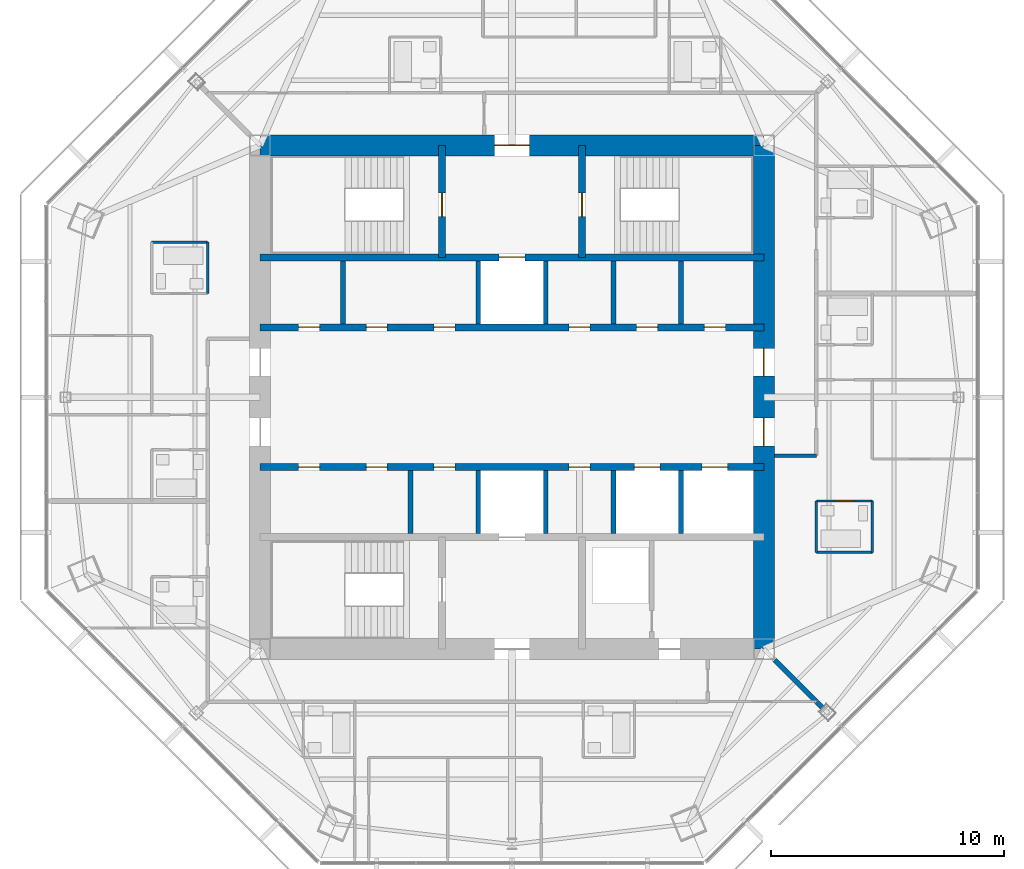
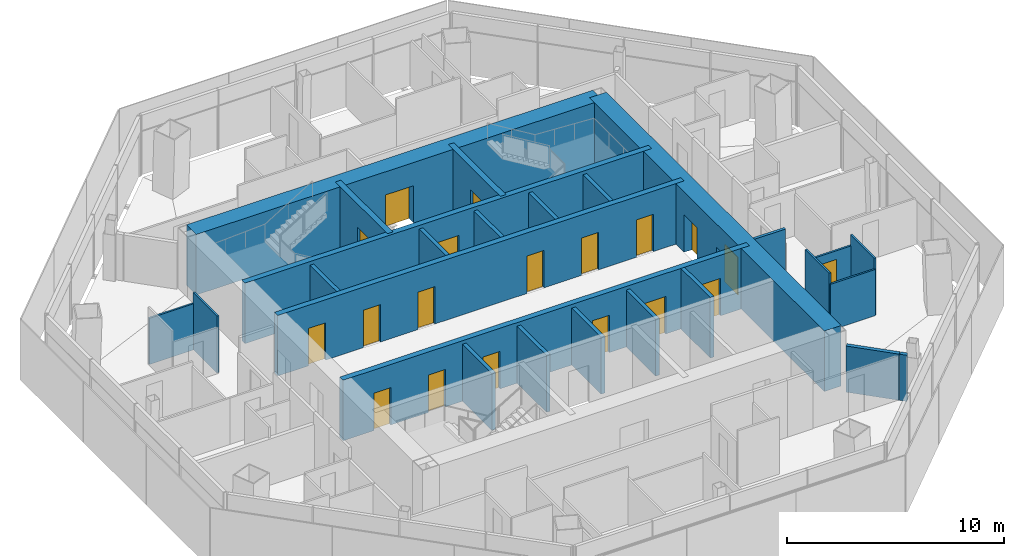
# One storey, part 10 of 14: 26 walls, 19 doors, 19 openings.
"""IFC4 building model written with IfcOpenShell, lengths in metres."""

from ifc_helpers import new_model, si_unit, direction, frame, frame_2d, origin, place, context, subcontext, project, spatial, rectangle, extrude, material, layer, layer_set, type_object, element, fill, save


model = new_model("IFC4")

# Units and contexts
model_context = context("Model", 3, precision=1e-05, world=origin(), true_north=direction((0.0, 1.0)))
body_context = subcontext(model_context, "Body", "Model", "MODEL_VIEW")
ifc_project = project(units=[si_unit("LENGTHUNIT", "METRE"), si_unit("AREAUNIT", "SQUARE_METRE"), si_unit("VOLUMEUNIT", "CUBIC_METRE"), si_unit("PLANEANGLEUNIT", "RADIAN"), si_unit("MASSUNIT", "GRAM", prefix="KILO")], contexts=[model_context])

# Site, building, storey
site_placement = place(None, origin())
site = spatial("IfcSite", under=ifc_project, at=site_placement, CompositionType="ELEMENT")
building_placement = place(site_placement, origin())
building = spatial("IfcBuilding", under=site, at=building_placement, Name="Mashrafa Tower", CompositionType="ELEMENT")
storey_placement = place(building_placement, frame((0.0, 0.0, 284.39990234375)))
storey = spatial("IfcBuildingStorey", under=building, at=storey_placement, Name="L69", CompositionType="ELEMENT", Elevation=284.39990234375)

# Walls
ifc_material_1 = material(Name="Gypsum board on steel studs", Category="steel")
ifc_layer_1 = layer(ifc_material_1, 0.199951171875)
ifc_layer_set_1 = layer_set([ifc_layer_1], Name="Acoustic partition 200 1 hr")
wall_type_1 = type_object("IfcWallType", Name="Acoustic partition 200 1 hr", PredefinedType="PARTITIONING", material=ifc_layer_set_1)
wall_1_placement = place(storey_placement, frame((13.0751953125, -13.0751953125, 0.0), z_axis=(0.0, 0.0, 1.0), x_axis=(0.707106781187, -0.707106781187, 0.0)))
element("IfcWall", 1, at=wall_1_placement, inside=storey, type_object=wall_type_1, Name="Acoustic wall L69-046", PredefinedType="PARTITIONING", context=body_context, shape_type="SweptSolid", body=[
    extrude(rectangle(XDim=0.338134765625, YDim=0.199951171875, at=frame_2d((0.1689453125, 0.0))), origin(), (0.0, 0.0, 1.0), 2.590576171875),
])
wall_2_placement = place(storey_placement, frame((11.26904296875, -11.26904296875, 0.0), z_axis=(0.0, 0.0, 1.0), x_axis=(0.707106781187, -0.707106781187, 0.0)))
element("IfcWall", 2, at=wall_2_placement, inside=storey, type_object=wall_type_1, Name="Acoustic wall L69-047", PredefinedType="PARTITIONING", context=body_context, shape_type="SweptSolid", body=[
    extrude(rectangle(XDim=2.52001953125, YDim=0.199951171875, at=frame_2d((1.260009765625, 0.0))), origin(), (0.0, 0.0, 1.0), 2.590576171875),
])

# Wall, openings, doors
ifc_material_2 = material(Name="Concrete C50/60", Category="concrete")
ifc_layer_2 = layer(ifc_material_2, 0.300048828125)
ifc_layer_set_2 = layer_set([ifc_layer_2], Name="Core wall 300 C50/60")
wall_type_2 = type_object("IfcWallType", Name="Core wall 300 C50/60", PredefinedType="SOLIDWALL", material=ifc_layer_set_2)
wall_3_placement = place(storey_placement, frame((-10.800048828125, 3.0, 0.0), z_axis=(0.0, 0.0, 1.0), x_axis=(1.0, 0.0, 0.0)))
wall_3 = element("IfcWall", 3, at=wall_3_placement, inside=storey, type_object=wall_type_2, Name="Core wall CH-N L69", PredefinedType="SOLIDWALL", context=body_context, shape_type="SweptSolid", body=[
    extrude(rectangle(XDim=21.60009765625, YDim=0.300048828125, at=frame_2d((10.800048828125, 0.0))), origin(), (0.0, 0.0, 1.0), 3.400146484375),
])
opening_1_placement = place(wall_3_placement, frame((1.64990234375, 0.0, 0.0)))
opening_1 = element("IfcOpeningElement", 4, at=opening_1_placement, cuts=wall_3, Name="Opening 69.042", PredefinedType="OPENING", context=body_context, shape_type="SweptSolid", body=[
    extrude(rectangle(XDim=0.89990234375, YDim=2.10009765625, at=frame_2d((0.449951171875, 1.050048828125))), frame((0.0, 0.159912109375, 0.0), z_axis=(0.0, -1.0, 0.0), x_axis=(1.0, 0.0, 0.0)), (0.0, 0.0, 1.0), 0.320068359375),
])
opening_2_placement = place(wall_3_placement, frame((4.550048828125, 0.0, 0.0)))
opening_2 = element("IfcOpeningElement", 5, at=opening_2_placement, cuts=wall_3, Name="Opening 69.043", PredefinedType="OPENING", context=body_context, shape_type="SweptSolid", body=[
    extrude(rectangle(XDim=0.89990234375, YDim=2.10009765625, at=frame_2d((0.449951171875, 1.050048828125))), frame((0.0, 0.159912109375, 0.0), z_axis=(0.0, -1.0, 0.0), x_axis=(1.0, 0.0, 0.0)), (0.0, 0.0, 1.0), 0.320068359375),
])
opening_3_placement = place(wall_3_placement, frame((7.449951171875, 0.0, 0.0)))
opening_3 = element("IfcOpeningElement", 6, at=opening_3_placement, cuts=wall_3, Name="Opening 69.044", PredefinedType="OPENING", context=body_context, shape_type="SweptSolid", body=[
    extrude(rectangle(XDim=0.89990234375, YDim=2.10009765625, at=frame_2d((0.449951171875, 1.050048828125))), frame((0.0, 0.159912109375, 0.0), z_axis=(0.0, -1.0, 0.0), x_axis=(1.0, 0.0, 0.0)), (0.0, 0.0, 1.0), 0.320068359375),
])
opening_4_placement = place(wall_3_placement, frame((13.25, 0.0, 0.0)))
opening_4 = element("IfcOpeningElement", 7, at=opening_4_placement, cuts=wall_3, Name="Opening 69.045", PredefinedType="OPENING", context=body_context, shape_type="SweptSolid", body=[
    extrude(rectangle(XDim=0.89990234375, YDim=2.10009765625, at=frame_2d((0.449951171875, 1.050048828125))), frame((0.0, 0.159912109375, 0.0), z_axis=(0.0, -1.0, 0.0), x_axis=(1.0, 0.0, 0.0)), (0.0, 0.0, 1.0), 0.320068359375),
])
opening_5_placement = place(wall_3_placement, frame((16.14990234375, 0.0, 0.0)))
opening_5 = element("IfcOpeningElement", 8, at=opening_5_placement, cuts=wall_3, Name="Opening 69.049", PredefinedType="OPENING", context=body_context, shape_type="SweptSolid", body=[
    extrude(rectangle(XDim=0.89990234375, YDim=2.10009765625, at=frame_2d((0.449951171875, 1.050048828125))), frame((0.0, 0.159912109375, 0.0), z_axis=(0.0, -1.0, 0.0), x_axis=(1.0, 0.0, 0.0)), (0.0, 0.0, 1.0), 0.320068359375),
])
opening_6_placement = place(wall_3_placement, frame((19.050048828125, 0.0, 0.0)))
opening_6 = element("IfcOpeningElement", 9, at=opening_6_placement, cuts=wall_3, Name="Opening 69.050", PredefinedType="OPENING", context=body_context, shape_type="SweptSolid", body=[
    extrude(rectangle(XDim=0.89990234375, YDim=2.10009765625, at=frame_2d((0.449951171875, 1.050048828125))), frame((0.0, 0.159912109375, 0.0), z_axis=(0.0, -1.0, 0.0), x_axis=(1.0, 0.0, 0.0)), (0.0, 0.0, 1.0), 0.320068359375),
])
ifc_material_3 = material(Name="Timber door", Category="wood")
door_type_1 = type_object("IfcDoorType", Name="Store door 900 x 2100", OperationType="USERDEFINED", PredefinedType="DOOR", material=ifc_material_3)
door_1_placement = place(opening_1_placement, origin())
door_1 = element("IfcDoor", 10, at=door_1_placement, inside=storey, type_object=door_type_1, Name="Refuse Chute Room L69 door", OperationType="SINGLE_SWING_RIGHT", OverallHeight=2.10009765625, OverallWidth=0.89990234375, PredefinedType="DOOR", context=body_context, shape_type="SweptSolid", body=[
    extrude(rectangle(XDim=0.89990234375, YDim=2.10009765625, at=frame_2d((0.449951171875, 1.050048828125))), frame((0.0, 0.02490234375, 0.0), z_axis=(0.0, -1.0, 0.0), x_axis=(1.0, 0.0, 0.0)), (0.0, 0.0, 1.0), 0.050048828125),
])
fill(opening_1, door_1)
door_2_placement = place(opening_2_placement, origin())
door_2 = element("IfcDoor", 11, at=door_2_placement, inside=storey, type_object=door_type_1, Name="Housekeeping and Linen Room L69 door", OperationType="SINGLE_SWING_LEFT", OverallHeight=2.10009765625, OverallWidth=0.89990234375, PredefinedType="DOOR", context=body_context, shape_type="SweptSolid", body=[
    extrude(rectangle(XDim=0.89990234375, YDim=2.10009765625, at=frame_2d((0.449951171875, 1.050048828125))), frame((0.0, 0.02490234375, 0.0), z_axis=(0.0, -1.0, 0.0), x_axis=(1.0, 0.0, 0.0)), (0.0, 0.0, 1.0), 0.050048828125),
])
fill(opening_2, door_2)
door_3_placement = place(opening_3_placement, origin())
door_3 = element("IfcDoor", 12, at=door_3_placement, inside=storey, type_object=door_type_1, Name="Housekeeping and Linen Room L69 door", OperationType="SINGLE_SWING_RIGHT", OverallHeight=2.10009765625, OverallWidth=0.89990234375, PredefinedType="DOOR", context=body_context, shape_type="SweptSolid", body=[
    extrude(rectangle(XDim=0.89990234375, YDim=2.10009765625, at=frame_2d((0.449951171875, 1.050048828125))), frame((0.0, 0.02490234375, 0.0), z_axis=(0.0, -1.0, 0.0), x_axis=(1.0, 0.0, 0.0)), (0.0, 0.0, 1.0), 0.050048828125),
])
fill(opening_3, door_3)
door_4_placement = place(opening_4_placement, origin())
door_4 = element("IfcDoor", 13, at=door_4_placement, inside=storey, type_object=door_type_1, Name="Cleaner's Store L69 door", OperationType="SINGLE_SWING_LEFT", OverallHeight=2.10009765625, OverallWidth=0.89990234375, PredefinedType="DOOR", context=body_context, shape_type="SweptSolid", body=[
    extrude(rectangle(XDim=0.89990234375, YDim=2.10009765625, at=frame_2d((0.449951171875, 1.050048828125))), frame((0.0, 0.02490234375, 0.0), z_axis=(0.0, -1.0, 0.0), x_axis=(1.0, 0.0, 0.0)), (0.0, 0.0, 1.0), 0.050048828125),
])
fill(opening_4, door_4)
door_5_placement = place(opening_5_placement, origin())
door_5 = element("IfcDoor", 14, at=door_5_placement, inside=storey, type_object=door_type_1, Name="Residents' Store L69-K1 door", OperationType="SINGLE_SWING_LEFT", OverallHeight=2.10009765625, OverallWidth=0.89990234375, PredefinedType="DOOR", context=body_context, shape_type="SweptSolid", body=[
    extrude(rectangle(XDim=0.89990234375, YDim=2.10009765625, at=frame_2d((0.449951171875, 1.050048828125))), frame((0.0, 0.02490234375, 0.0), z_axis=(0.0, -1.0, 0.0), x_axis=(1.0, 0.0, 0.0)), (0.0, 0.0, 1.0), 0.050048828125),
])
fill(opening_5, door_5)
door_6_placement = place(opening_6_placement, origin())
door_6 = element("IfcDoor", 15, at=door_6_placement, inside=storey, type_object=door_type_1, Name="Residents' Store L69-K2 door", OperationType="SINGLE_SWING_LEFT", OverallHeight=2.10009765625, OverallWidth=0.89990234375, PredefinedType="DOOR", context=body_context, shape_type="SweptSolid", body=[
    extrude(rectangle(XDim=0.89990234375, YDim=2.10009765625, at=frame_2d((0.449951171875, 1.050048828125))), frame((0.0, 0.02490234375, 0.0), z_axis=(0.0, -1.0, 0.0), x_axis=(1.0, 0.0, 0.0)), (0.0, 0.0, 1.0), 0.050048828125),
])
fill(opening_6, door_6)

# Wall, opening, door
wall_4_placement = place(storey_placement, frame((-10.800048828125, 6.0, 0.0), z_axis=(0.0, 0.0, 1.0), x_axis=(1.0, 0.0, 0.0)))
wall_4 = element("IfcWall", 16, at=wall_4_placement, inside=storey, type_object=wall_type_2, Name="Core wall CB-N L69", PredefinedType="SOLIDWALL", context=body_context, shape_type="SweptSolid", body=[
    extrude(rectangle(XDim=21.60009765625, YDim=0.300048828125, at=frame_2d((10.800048828125, 0.0))), origin(), (0.0, 0.0, 1.0), 3.400146484375),
])
opening_7_placement = place(wall_4_placement, frame((10.25, 0.0, 0.0)))
opening_7 = element("IfcOpeningElement", 17, at=opening_7_placement, cuts=wall_4, Name="Opening 69.F1", PredefinedType="OPENING", context=body_context, shape_type="SweptSolid", body=[
    extrude(rectangle(XDim=1.10009765625, YDim=2.10009765625, at=frame_2d((0.550048828125, 1.050048828125))), frame((0.0, 0.159912109375, 0.0), z_axis=(0.0, -1.0, 0.0), x_axis=(1.0, 0.0, 0.0)), (0.0, 0.0, 1.0), 0.320068359375),
])
ifc_material_4 = material(Name="Steel door", Category="steel")
door_type_2 = type_object("IfcDoorType", Name="Lift landing door 1100 x 2100 90 min", OperationType="DOUBLE_DOOR_SLIDING", PredefinedType="DOOR", material=ifc_material_4)
door_7_placement = place(opening_7_placement, origin())
door_7 = element("IfcDoor", 18, at=door_7_placement, inside=storey, type_object=door_type_2, Name="Lift landing door F1 L69", OperationType="DOUBLE_DOOR_SLIDING", OverallHeight=2.10009765625, OverallWidth=1.10009765625, PredefinedType="DOOR", context=body_context, shape_type="SweptSolid", body=[
    extrude(rectangle(XDim=1.10009765625, YDim=2.10009765625, at=frame_2d((0.550048828125, 1.050048828125))), frame((0.0, 0.02490234375, 0.0), z_axis=(0.0, -1.0, 0.0), x_axis=(1.0, 0.0, 0.0)), (0.0, 0.0, 1.0), 0.050048828125),
])
fill(opening_7, door_7)

wall_5_placement = place(storey_placement, frame((-3.0, 6.0, 0.0), z_axis=(0.0, 0.0, 1.0), x_axis=(0.0, 1.0, 0.0)))
wall_5 = element("IfcWall", 19, at=wall_5_placement, inside=storey, type_object=wall_type_2, Name="Core wall CX-NW L69", PredefinedType="SOLIDWALL", context=body_context, shape_type="SweptSolid", body=[
    extrude(rectangle(XDim=4.800048828125, YDim=0.300048828125, at=frame_2d((2.39990234375, 0.0))), origin(), (0.0, 0.0, 1.0), 3.400146484375),
])
opening_8_placement = place(wall_5_placement, frame((1.75, 0.0, 0.0)))
opening_8 = element("IfcOpeningElement", 20, at=opening_8_placement, cuts=wall_5, Name="Opening 69.037", PredefinedType="OPENING", context=body_context, shape_type="SweptSolid", body=[
    extrude(rectangle(XDim=1.0, YDim=2.10009765625, at=frame_2d((0.5, 1.050048828125))), frame((0.0, 0.159912109375, 0.0), z_axis=(0.0, -1.0, 0.0), x_axis=(1.0, 0.0, 0.0)), (0.0, 0.0, 1.0), 0.320068359375),
])
ifc_material_5 = material(Name="Steel door", Category="steel")
door_type_3 = type_object("IfcDoorType", Name="Stair door 1000 x 2100 90 min", OperationType="USERDEFINED", PredefinedType="DOOR", material=ifc_material_5)
door_8_placement = place(opening_8_placement, origin())
door_8 = element("IfcDoor", 21, at=door_8_placement, inside=storey, type_object=door_type_3, Name="Stair S1 door L69", OperationType="SINGLE_SWING_LEFT", OverallHeight=2.10009765625, OverallWidth=1.0, PredefinedType="DOOR", context=body_context, shape_type="SweptSolid", body=[
    extrude(rectangle(XDim=1.0, YDim=2.10009765625, at=frame_2d((0.5, 1.050048828125))), frame((0.0, 0.02490234375, 0.0), z_axis=(0.0, -1.0, 0.0), x_axis=(1.0, 0.0, 0.0)), (0.0, 0.0, 1.0), 0.050048828125),
])
fill(opening_8, door_8)

wall_6_placement = place(storey_placement, frame((3.0, 6.0, 0.0), z_axis=(0.0, 0.0, 1.0), x_axis=(0.0, 1.0, 0.0)))
wall_6 = element("IfcWall", 22, at=wall_6_placement, inside=storey, type_object=wall_type_2, Name="Core wall CX-NE L69", PredefinedType="SOLIDWALL", context=body_context, shape_type="SweptSolid", body=[
    extrude(rectangle(XDim=4.800048828125, YDim=0.300048828125, at=frame_2d((2.39990234375, 0.0))), origin(), (0.0, 0.0, 1.0), 3.400146484375),
])
opening_9_placement = place(wall_6_placement, frame((1.75, 0.0, 0.0)))
opening_9 = element("IfcOpeningElement", 23, at=opening_9_placement, cuts=wall_6, Name="Opening 69.038", PredefinedType="OPENING", context=body_context, shape_type="SweptSolid", body=[
    extrude(rectangle(XDim=1.0, YDim=2.10009765625, at=frame_2d((0.5, 1.050048828125))), frame((0.0, 0.159912109375, 0.0), z_axis=(0.0, -1.0, 0.0), x_axis=(1.0, 0.0, 0.0)), (0.0, 0.0, 1.0), 0.320068359375),
])
door_9_placement = place(opening_9_placement, frame((1.0, 0.0, 0.0), z_axis=(0.0, 0.0, 1.0), x_axis=(-1.0, 0.0, 0.0)))
door_9 = element("IfcDoor", 24, at=door_9_placement, inside=storey, type_object=door_type_3, Name="Stair S2 door L69", OperationType="SINGLE_SWING_RIGHT", OverallHeight=2.10009765625, OverallWidth=1.0, PredefinedType="DOOR", context=body_context, shape_type="SweptSolid", body=[
    extrude(rectangle(XDim=1.0, YDim=2.10009765625, at=frame_2d((0.5, 1.050048828125))), frame((0.0, 0.02490234375, 0.0), z_axis=(0.0, -1.0, 0.0), x_axis=(1.0, 0.0, 0.0)), (0.0, 0.0, 1.0), 0.050048828125),
])
fill(opening_9, door_9)

# Wall, openings, doors
wall_7_placement = place(storey_placement, frame((-10.800048828125, -3.0, 0.0), z_axis=(0.0, 0.0, 1.0), x_axis=(1.0, 0.0, 0.0)))
wall_7 = element("IfcWall", 25, at=wall_7_placement, inside=storey, type_object=wall_type_2, Name="Core wall CH-S L69", PredefinedType="SOLIDWALL", context=body_context, shape_type="SweptSolid", body=[
    extrude(rectangle(XDim=21.60009765625, YDim=0.300048828125, at=frame_2d((10.800048828125, 0.0))), origin(), (0.0, 0.0, 1.0), 3.400146484375),
])
opening_10_placement = place(wall_7_placement, frame((13.25, 0.0, 0.0)))
opening_10 = element("IfcOpeningElement", 26, at=opening_10_placement, cuts=wall_7, Name="Opening 69.046", PredefinedType="OPENING", context=body_context, shape_type="SweptSolid", body=[
    extrude(rectangle(XDim=0.89990234375, YDim=2.10009765625, at=frame_2d((0.449951171875, 1.050048828125))), frame((0.0, 0.159912109375, 0.0), z_axis=(0.0, -1.0, 0.0), x_axis=(1.0, 0.0, 0.0)), (0.0, 0.0, 1.0), 0.320068359375),
])
opening_11_placement = place(wall_7_placement, frame((1.64990234375, 0.0, 0.0)))
opening_11 = element("IfcOpeningElement", 27, at=opening_11_placement, cuts=wall_7, Name="Opening 69.047", PredefinedType="OPENING", context=body_context, shape_type="SweptSolid", body=[
    extrude(rectangle(XDim=0.89990234375, YDim=2.10009765625, at=frame_2d((0.449951171875, 1.050048828125))), frame((0.0, 0.159912109375, 0.0), z_axis=(0.0, -1.0, 0.0), x_axis=(1.0, 0.0, 0.0)), (0.0, 0.0, 1.0), 0.320068359375),
])
opening_12_placement = place(wall_7_placement, frame((4.550048828125, 0.0, 0.0)))
opening_12 = element("IfcOpeningElement", 28, at=opening_12_placement, cuts=wall_7, Name="Opening 69.048", PredefinedType="OPENING", context=body_context, shape_type="SweptSolid", body=[
    extrude(rectangle(XDim=0.89990234375, YDim=2.10009765625, at=frame_2d((0.449951171875, 1.050048828125))), frame((0.0, 0.159912109375, 0.0), z_axis=(0.0, -1.0, 0.0), x_axis=(1.0, 0.0, 0.0)), (0.0, 0.0, 1.0), 0.320068359375),
])
opening_13_placement = place(wall_7_placement, frame((7.449951171875, 0.0, 0.0)))
opening_13 = element("IfcOpeningElement", 29, at=opening_13_placement, cuts=wall_7, Name="Opening 69.051", PredefinedType="OPENING", context=body_context, shape_type="SweptSolid", body=[
    extrude(rectangle(XDim=0.89990234375, YDim=2.10009765625, at=frame_2d((0.449951171875, 1.050048828125))), frame((0.0, 0.159912109375, 0.0), z_axis=(0.0, -1.0, 0.0), x_axis=(1.0, 0.0, 0.0)), (0.0, 0.0, 1.0), 0.320068359375),
])
opening_14_placement = place(wall_7_placement, frame((16.050048828125, 0.0, 0.0)))
opening_14 = element("IfcOpeningElement", 30, at=opening_14_placement, cuts=wall_7, Name="Opening 69.R1", PredefinedType="OPENING", context=body_context, shape_type="SweptSolid", body=[
    extrude(rectangle(XDim=1.10009765625, YDim=2.10009765625, at=frame_2d((0.550048828125, 1.050048828125))), frame((0.0, 0.159912109375, 0.0), z_axis=(0.0, -1.0, 0.0), x_axis=(1.0, 0.0, 0.0)), (0.0, 0.0, 1.0), 0.320068359375),
])
opening_15_placement = place(wall_7_placement, frame((18.949951171875, 0.0, 0.0)))
opening_15 = element("IfcOpeningElement", 31, at=opening_15_placement, cuts=wall_7, Name="Opening 69.R2", PredefinedType="OPENING", context=body_context, shape_type="SweptSolid", body=[
    extrude(rectangle(XDim=1.10009765625, YDim=2.10009765625, at=frame_2d((0.550048828125, 1.050048828125))), frame((0.0, 0.159912109375, 0.0), z_axis=(0.0, -1.0, 0.0), x_axis=(1.0, 0.0, 0.0)), (0.0, 0.0, 1.0), 0.320068359375),
])
door_10_placement = place(opening_14_placement, origin())
door_10 = element("IfcDoor", 32, at=door_10_placement, inside=storey, type_object=door_type_2, Name="Lift landing door R1 L69", OperationType="DOUBLE_DOOR_SLIDING", OverallHeight=2.10009765625, OverallWidth=1.10009765625, PredefinedType="DOOR", context=body_context, shape_type="SweptSolid", body=[
    extrude(rectangle(XDim=1.10009765625, YDim=2.10009765625, at=frame_2d((0.550048828125, 1.050048828125))), frame((0.0, 0.02490234375, 0.0), z_axis=(0.0, -1.0, 0.0), x_axis=(1.0, 0.0, 0.0)), (0.0, 0.0, 1.0), 0.050048828125),
])
fill(opening_14, door_10)
door_11_placement = place(opening_15_placement, origin())
door_11 = element("IfcDoor", 33, at=door_11_placement, inside=storey, type_object=door_type_2, Name="Lift landing door R2 L69", OperationType="DOUBLE_DOOR_SLIDING", OverallHeight=2.10009765625, OverallWidth=1.10009765625, PredefinedType="DOOR", context=body_context, shape_type="SweptSolid", body=[
    extrude(rectangle(XDim=1.10009765625, YDim=2.10009765625, at=frame_2d((0.550048828125, 1.050048828125))), frame((0.0, 0.02490234375, 0.0), z_axis=(0.0, -1.0, 0.0), x_axis=(1.0, 0.0, 0.0)), (0.0, 0.0, 1.0), 0.050048828125),
])
fill(opening_15, door_11)
door_12_placement = place(opening_10_placement, frame((0.89990234375, 0.0, 0.0), z_axis=(0.0, 0.0, 1.0), x_axis=(-1.0, 0.0, 0.0)))
door_12 = element("IfcDoor", 34, at=door_12_placement, inside=storey, type_object=door_type_1, Name="Communications Room L69 door", OperationType="SINGLE_SWING_RIGHT", OverallHeight=2.10009765625, OverallWidth=0.89990234375, PredefinedType="DOOR", context=body_context, shape_type="SweptSolid", body=[
    extrude(rectangle(XDim=0.89990234375, YDim=2.10009765625, at=frame_2d((0.449951171875, 1.050048828125))), frame((0.0, 0.02490234375, 0.0), z_axis=(0.0, -1.0, 0.0), x_axis=(1.0, 0.0, 0.0)), (0.0, 0.0, 1.0), 0.050048828125),
])
fill(opening_10, door_12)
door_13_placement = place(opening_11_placement, frame((0.89990234375, 0.0, 0.0), z_axis=(0.0, 0.0, 1.0), x_axis=(-1.0, 0.0, 0.0)))
door_13 = element("IfcDoor", 35, at=door_13_placement, inside=storey, type_object=door_type_1, Name="Residents' Storage Room L69 door", OperationType="SINGLE_SWING_RIGHT", OverallHeight=2.10009765625, OverallWidth=0.89990234375, PredefinedType="DOOR", context=body_context, shape_type="SweptSolid", body=[
    extrude(rectangle(XDim=0.89990234375, YDim=2.10009765625, at=frame_2d((0.449951171875, 1.050048828125))), frame((0.0, 0.02490234375, 0.0), z_axis=(0.0, -1.0, 0.0), x_axis=(1.0, 0.0, 0.0)), (0.0, 0.0, 1.0), 0.050048828125),
])
fill(opening_11, door_13)
door_14_placement = place(opening_12_placement, frame((0.89990234375, 0.0, 0.0), z_axis=(0.0, 0.0, 1.0), x_axis=(-1.0, 0.0, 0.0)))
door_14 = element("IfcDoor", 36, at=door_14_placement, inside=storey, type_object=door_type_1, Name="Residents' Storage Room L69 door", OperationType="SINGLE_SWING_LEFT", OverallHeight=2.10009765625, OverallWidth=0.89990234375, PredefinedType="DOOR", context=body_context, shape_type="SweptSolid", body=[
    extrude(rectangle(XDim=0.89990234375, YDim=2.10009765625, at=frame_2d((0.449951171875, 1.050048828125))), frame((0.0, 0.02490234375, 0.0), z_axis=(0.0, -1.0, 0.0), x_axis=(1.0, 0.0, 0.0)), (0.0, 0.0, 1.0), 0.050048828125),
])
fill(opening_12, door_14)
door_15_placement = place(opening_13_placement, frame((0.89990234375, 0.0, 0.0), z_axis=(0.0, 0.0, 1.0), x_axis=(-1.0, 0.0, 0.0)))
door_15 = element("IfcDoor", 37, at=door_15_placement, inside=storey, type_object=door_type_1, Name="Residents' Store L69-B3 door", OperationType="SINGLE_SWING_RIGHT", OverallHeight=2.10009765625, OverallWidth=0.89990234375, PredefinedType="DOOR", context=body_context, shape_type="SweptSolid", body=[
    extrude(rectangle(XDim=0.89990234375, YDim=2.10009765625, at=frame_2d((0.449951171875, 1.050048828125))), frame((0.0, 0.02490234375, 0.0), z_axis=(0.0, -1.0, 0.0), x_axis=(1.0, 0.0, 0.0)), (0.0, 0.0, 1.0), 0.050048828125),
])
fill(opening_13, door_15)

ifc_material_6 = material(Name="Concrete C50/60", Category="concrete")
ifc_layer_3 = layer(ifc_material_6, 0.89990234375)
ifc_layer_set_3 = layer_set([ifc_layer_3], Name="Core wall 900 C50/60")
wall_type_3 = type_object("IfcWallType", Name="Core wall 900 C50/60", PredefinedType="SOLIDWALL", material=ifc_layer_set_3)
wall_8_placement = place(storey_placement, frame((10.800048828125, -10.800048828125, 0.0), z_axis=(0.0, 0.0, 1.0), x_axis=(0.0, 1.0, 0.0)))
wall_8 = element("IfcWall", 38, at=wall_8_placement, inside=storey, type_object=wall_type_3, Name="Core wall CW-E L69", PredefinedType="SOLIDWALL", context=body_context, shape_type="SweptSolid", body=[
    extrude(rectangle(XDim=21.60009765625, YDim=0.89990234375, at=frame_2d((10.800048828125, 0.0))), origin(), (0.0, 0.0, 1.0), 3.400146484375),
])
opening_16_placement = place(wall_8_placement, frame((11.699951171875, 0.0, 0.0)))
opening_16 = element("IfcOpeningElement", 39, at=opening_16_placement, cuts=wall_8, Name="Opening 69.031", PredefinedType="OPENING", context=body_context, shape_type="SweptSolid", body=[
    extrude(rectangle(XDim=1.199951171875, YDim=2.10009765625, at=frame_2d((0.60009765625, 1.050048828125))), frame((0.0, 0.4599609375, 0.0), z_axis=(0.0, -1.0, 0.0), x_axis=(1.0, 0.0, 0.0)), (0.0, 0.0, 1.0), 0.919921875),
])
opening_17_placement = place(wall_8_placement, frame((8.699951171875, 0.0, 0.0)))
opening_17 = element("IfcOpeningElement", 40, at=opening_17_placement, cuts=wall_8, Name="Opening 69.033", PredefinedType="OPENING", context=body_context, shape_type="SweptSolid", body=[
    extrude(rectangle(XDim=1.199951171875, YDim=2.10009765625, at=frame_2d((0.60009765625, 1.050048828125))), frame((0.0, 0.4599609375, 0.0), z_axis=(0.0, -1.0, 0.0), x_axis=(1.0, 0.0, 0.0)), (0.0, 0.0, 1.0), 0.919921875),
])
ifc_material_7 = material(Name="Steel door", Category="steel")
door_type_4 = type_object("IfcDoorType", Name="Lift hall door 1200 x 2100 90 min", OperationType="USERDEFINED", PredefinedType="DOOR", material=ifc_material_7)
door_16_placement = place(opening_16_placement, frame((1.199951171875, 0.0, 0.0), z_axis=(0.0, 0.0, 1.0), x_axis=(-1.0, 0.0, 0.0)))
door_16 = element("IfcDoor", 41, at=door_16_placement, inside=storey, type_object=door_type_4, Name="Lift hall door east L69", OperationType="SINGLE_SWING_RIGHT", OverallHeight=2.10009765625, OverallWidth=1.199951171875, PredefinedType="DOOR", context=body_context, shape_type="SweptSolid", body=[
    extrude(rectangle(XDim=1.199951171875, YDim=2.10009765625, at=frame_2d((0.60009765625, 1.050048828125))), frame((0.0, 0.02490234375, 0.0), z_axis=(0.0, -1.0, 0.0), x_axis=(1.0, 0.0, 0.0)), (0.0, 0.0, 1.0), 0.050048828125),
])
fill(opening_16, door_16)
door_17_placement = place(opening_17_placement, frame((1.199951171875, 0.0, 0.0), z_axis=(0.0, 0.0, 1.0), x_axis=(-1.0, 0.0, 0.0)))
door_17 = element("IfcDoor", 42, at=door_17_placement, inside=storey, type_object=door_type_4, Name="Lift hall door east L69", OperationType="SINGLE_SWING_RIGHT", OverallHeight=2.10009765625, OverallWidth=1.199951171875, PredefinedType="DOOR", context=body_context, shape_type="SweptSolid", body=[
    extrude(rectangle(XDim=1.199951171875, YDim=2.10009765625, at=frame_2d((0.60009765625, 1.050048828125))), frame((0.0, 0.02490234375, 0.0), z_axis=(0.0, -1.0, 0.0), x_axis=(1.0, 0.0, 0.0)), (0.0, 0.0, 1.0), 0.050048828125),
])
fill(opening_17, door_17)

# Wall, opening, door
wall_9_placement = place(storey_placement, frame((10.800048828125, 10.800048828125, 0.0), z_axis=(0.0, 0.0, 1.0), x_axis=(-1.0, 0.0, 0.0)))
wall_9 = element("IfcWall", 43, at=wall_9_placement, inside=storey, type_object=wall_type_3, Name="Core wall CW-N L69", PredefinedType="SOLIDWALL", context=body_context, shape_type="SweptSolid", body=[
    extrude(rectangle(XDim=21.60009765625, YDim=0.89990234375, at=frame_2d((10.800048828125, 0.0))), origin(), (0.0, 0.0, 1.0), 3.400146484375),
])
opening_18_placement = place(wall_9_placement, frame((10.050048828125, 0.0, 0.0)))
opening_18 = element("IfcOpeningElement", 44, at=opening_18_placement, cuts=wall_9, Name="Opening 69.035", PredefinedType="OPENING", context=body_context, shape_type="SweptSolid", body=[
    extrude(rectangle(XDim=1.5, YDim=2.10009765625, at=frame_2d((0.75, 1.050048828125))), frame((0.0, 0.4599609375, 0.0), z_axis=(0.0, -1.0, 0.0), x_axis=(1.0, 0.0, 0.0)), (0.0, 0.0, 1.0), 0.919921875),
])
ifc_material_8 = material(Name="Steel door", Category="steel")
door_type_5 = type_object("IfcDoorType", Name="Lobby door pair 1500 x 2100 90 min", OperationType="DOUBLE_DOOR_SINGLE_SWING", PredefinedType="DOOR", material=ifc_material_8)
door_18_placement = place(opening_18_placement, origin())
door_18 = element("IfcDoor", 45, at=door_18_placement, inside=storey, type_object=door_type_5, Name="Fire-fighting lobby F1 door L69", OperationType="DOUBLE_DOOR_SINGLE_SWING", OverallHeight=2.10009765625, OverallWidth=1.5, PredefinedType="DOOR", context=body_context, shape_type="SweptSolid", body=[
    extrude(rectangle(XDim=1.5, YDim=2.10009765625, at=frame_2d((0.75, 1.050048828125))), frame((0.0, 0.02490234375, 0.0), z_axis=(0.0, -1.0, 0.0), x_axis=(1.0, 0.0, 0.0)), (0.0, 0.0, 1.0), 0.050048828125),
])
fill(opening_18, door_18)

# Walls
ifc_material_9 = material(Name="Gypsum board on steel studs", Category="steel")
ifc_layer_4 = layer(ifc_material_9, 0.14990234375)
ifc_layer_set_4 = layer_set([ifc_layer_4], Name="Corridor partition 150 1 hr")
wall_type_4 = type_object("IfcWallType", Name="Corridor partition 150 1 hr", PredefinedType="PARTITIONING", material=ifc_layer_set_4)
wall_10_placement = place(storey_placement, frame((11.25, -2.5, 0.0), z_axis=(0.0, 0.0, 1.0), x_axis=(1.0, 0.0, 0.0)))
element("IfcWall", 46, at=wall_10_placement, inside=storey, type_object=wall_type_4, Name="Corridor wall L69-003", PredefinedType="PARTITIONING", context=body_context, shape_type="SweptSolid", body=[
    extrude(rectangle(XDim=1.800048828125, YDim=0.14990234375, at=frame_2d((0.89990234375, 0.0))), origin(), (0.0, 0.0, 1.0), 3.2001953125),
])
ifc_material_10 = material(Name="Gypsum board on steel studs", Category="steel")
ifc_layer_5 = layer(ifc_material_10, 0.10009765625)
ifc_layer_set_5 = layer_set([ifc_layer_5], Name="Partition 100")
wall_type_5 = type_object("IfcWallType", Name="Partition 100", PredefinedType="PARTITIONING", material=ifc_layer_set_5)
wall_11_placement = place(storey_placement, frame((15.449951171875, -6.64990234375, 0.0), z_axis=(0.0, 0.0, 1.0), x_axis=(-1.0, 0.0, 0.0)))
element("IfcWall", 47, at=wall_11_placement, inside=storey, type_object=wall_type_5, Name="Partition wall L69-034", PredefinedType="PARTITIONING", context=body_context, shape_type="SweptSolid", body=[
    extrude(rectangle(XDim=2.39990234375, YDim=0.10009765625, at=frame_2d((1.199951171875, 0.0))), origin(), (0.0, 0.0, 1.0), 2.590576171875),
])
wall_12_placement = place(storey_placement, frame((15.449951171875, -6.64990234375, 0.0), z_axis=(0.0, 0.0, 1.0), x_axis=(0.0, 1.0, 0.0)))
element("IfcWall", 48, at=wall_12_placement, inside=storey, type_object=wall_type_5, Name="Partition wall L69-035", PredefinedType="PARTITIONING", context=body_context, shape_type="SweptSolid", body=[
    extrude(rectangle(XDim=2.199951171875, YDim=0.10009765625, at=frame_2d((1.10009765625, 0.0))), origin(), (0.0, 0.0, 1.0), 3.2001953125),
])

# Wall, opening, door
wall_13_placement = place(storey_placement, frame((15.449951171875, -4.449951171875, 0.0), z_axis=(0.0, 0.0, 1.0), x_axis=(-1.0, 0.0, 0.0)))
wall_13 = element("IfcWall", 49, at=wall_13_placement, inside=storey, type_object=wall_type_5, Name="Partition wall L69-036", PredefinedType="PARTITIONING", context=body_context, shape_type="SweptSolid", body=[
    extrude(rectangle(XDim=2.39990234375, YDim=0.10009765625, at=frame_2d((1.199951171875, 0.0))), origin(), (0.0, 0.0, 1.0), 2.590576171875),
])
opening_19_placement = place(wall_13_placement, frame((0.800048828125, 0.0, 0.0)))
opening_19 = element("IfcOpeningElement", 50, at=opening_19_placement, cuts=wall_13, Name="Opening 69.003", PredefinedType="OPENING", context=body_context, shape_type="SweptSolid", body=[
    extrude(rectangle(XDim=0.800048828125, YDim=2.10009765625, at=frame_2d((0.39990234375, 1.050048828125))), frame((0.0, 0.06005859375, 0.0), z_axis=(0.0, -1.0, 0.0), x_axis=(1.0, 0.0, 0.0)), (0.0, 0.0, 1.0), 0.1201171875),
])
ifc_material_11 = material(Name="Timber door", Category="wood")
door_type_6 = type_object("IfcDoorType", Name="Bathroom door 800 x 2100", OperationType="USERDEFINED", PredefinedType="DOOR", material=ifc_material_11)
door_19_placement = place(opening_19_placement, origin())
door_19 = element("IfcDoor", 51, at=door_19_placement, inside=storey, type_object=door_type_6, Name="Apartment 6901 Bathroom door", OperationType="SINGLE_SWING_RIGHT", OverallHeight=2.10009765625, OverallWidth=0.800048828125, PredefinedType="DOOR", context=body_context, shape_type="SweptSolid", body=[
    extrude(rectangle(XDim=0.800048828125, YDim=2.10009765625, at=frame_2d((0.39990234375, 1.050048828125))), frame((0.0, 0.02490234375, 0.0), z_axis=(0.0, -1.0, 0.0), x_axis=(1.0, 0.0, 0.0)), (0.0, 0.0, 1.0), 0.050048828125),
])
fill(opening_19, door_19)

# Walls
wall_14_placement = place(storey_placement, frame((13.050048828125, -4.449951171875, 0.0), z_axis=(0.0, 0.0, 1.0), x_axis=(0.0, -1.0, 0.0)))
element("IfcWall", 52, at=wall_14_placement, inside=storey, type_object=wall_type_5, Name="Partition wall L69-037", PredefinedType="PARTITIONING", context=body_context, shape_type="SweptSolid", body=[
    extrude(rectangle(XDim=2.199951171875, YDim=0.10009765625, at=frame_2d((1.10009765625, 0.0))), origin(), (0.0, 0.0, 1.0), 3.2001953125),
])
wall_15_placement = place(storey_placement, frame((-15.449951171875, 6.64990234375, 0.0), z_axis=(0.0, 0.0, 1.0), x_axis=(1.0, 0.0, 0.0)))
element("IfcWall", 53, at=wall_15_placement, inside=storey, type_object=wall_type_5, Name="Partition wall L69-068", PredefinedType="PARTITIONING", context=body_context, shape_type="SweptSolid", body=[
    extrude(rectangle(XDim=2.39990234375, YDim=0.10009765625, at=frame_2d((1.199951171875, 0.0))), origin(), (0.0, 0.0, 1.0), 2.590576171875),
])
wall_16_placement = place(storey_placement, frame((-13.050048828125, 4.449951171875, 0.0), z_axis=(0.0, 0.0, 1.0), x_axis=(0.0, 1.0, 0.0)))
element("IfcWall", 54, at=wall_16_placement, inside=storey, type_object=wall_type_5, Name="Partition wall L69-071", PredefinedType="PARTITIONING", context=body_context, shape_type="SweptSolid", body=[
    extrude(rectangle(XDim=2.199951171875, YDim=0.10009765625, at=frame_2d((1.10009765625, 0.0))), origin(), (0.0, 0.0, 1.0), 3.2001953125),
])
ifc_material_12 = material(Name="Gypsum shaft wall on steel studs", Category="steel")
ifc_layer_6 = layer(ifc_material_12, 0.199951171875)
ifc_layer_set_6 = layer_set([ifc_layer_6], Name="Shaft divider wall 200 2 hr")
wall_type_6 = type_object("IfcWallType", Name="Shaft divider wall 200 2 hr", PredefinedType="PARTITIONING", material=ifc_layer_set_6)
for number, where, z_axis, x_axis, name in (
    (55, (-7.25, 3.14990234375, 0.0), (0.0, 0.0, 1.0), (0.0, 1.0, 0.0), "Shaft divider wall N1 L69"),
    (56, (-1.449951171875, 3.14990234375, 0.0), (0.0, 0.0, 1.0), (0.0, 1.0, 0.0), "Shaft divider wall N3 L69"),
    (57, (1.449951171875, 3.14990234375, 0.0), (0.0, 0.0, 1.0), (0.0, 1.0, 0.0), "Shaft divider wall N4 L69"),
    (58, (4.35009765625, 3.14990234375, 0.0), (0.0, 0.0, 1.0), (0.0, 1.0, 0.0), "Shaft divider wall N5 L69"),
    (59, (7.25, 3.14990234375, 0.0), (0.0, 0.0, 1.0), (0.0, 1.0, 0.0), "Shaft divider wall N6 L69"),
    (60, (-4.35009765625, -5.85009765625, 0.0), (0.0, 0.0, 1.0), (0.0, 1.0, 0.0), "Shaft divider wall S2 L69"),
    (61, (-1.449951171875, -5.85009765625, 0.0), (0.0, 0.0, 1.0), (0.0, 1.0, 0.0), "Shaft divider wall S3 L69"),
    (62, (1.449951171875, -5.85009765625, 0.0), (0.0, 0.0, 1.0), (0.0, 1.0, 0.0), "Shaft divider wall S4 L69"),
    (63, (4.35009765625, -5.85009765625, 0.0), (0.0, 0.0, 1.0), (0.0, 1.0, 0.0), "Shaft divider wall S5 L69"),
):
    element("IfcWall", number, at=place(storey_placement, frame(where, z_axis=z_axis, x_axis=x_axis)), inside=storey, type_object=wall_type_6, Name=name, PredefinedType="PARTITIONING", context=body_context, shape_type="SweptSolid", body=[
        extrude(rectangle(XDim=2.7001953125, YDim=0.199951171875, at=frame_2d((1.35009765625, 0.0))), origin(), (0.0, 0.0, 1.0), 3.2001953125),
    ])
wall_17_placement = place(storey_placement, frame((7.25, -5.85009765625, 0.0), z_axis=(0.0, 0.0, 1.0), x_axis=(0.0, 1.0, 0.0)))
element("IfcWall", 64, at=wall_17_placement, inside=storey, type_object=wall_type_6, Name="Shaft divider wall S6 L69", PredefinedType="PARTITIONING", context=body_context, shape_type="SweptSolid", body=[
    extrude(rectangle(XDim=2.7001953125, YDim=0.199951171875, at=frame_2d((1.35009765625, 0.0))), origin(), (0.0, 0.0, 1.0), 3.400146484375),
])

save(model, "model.ifc")
